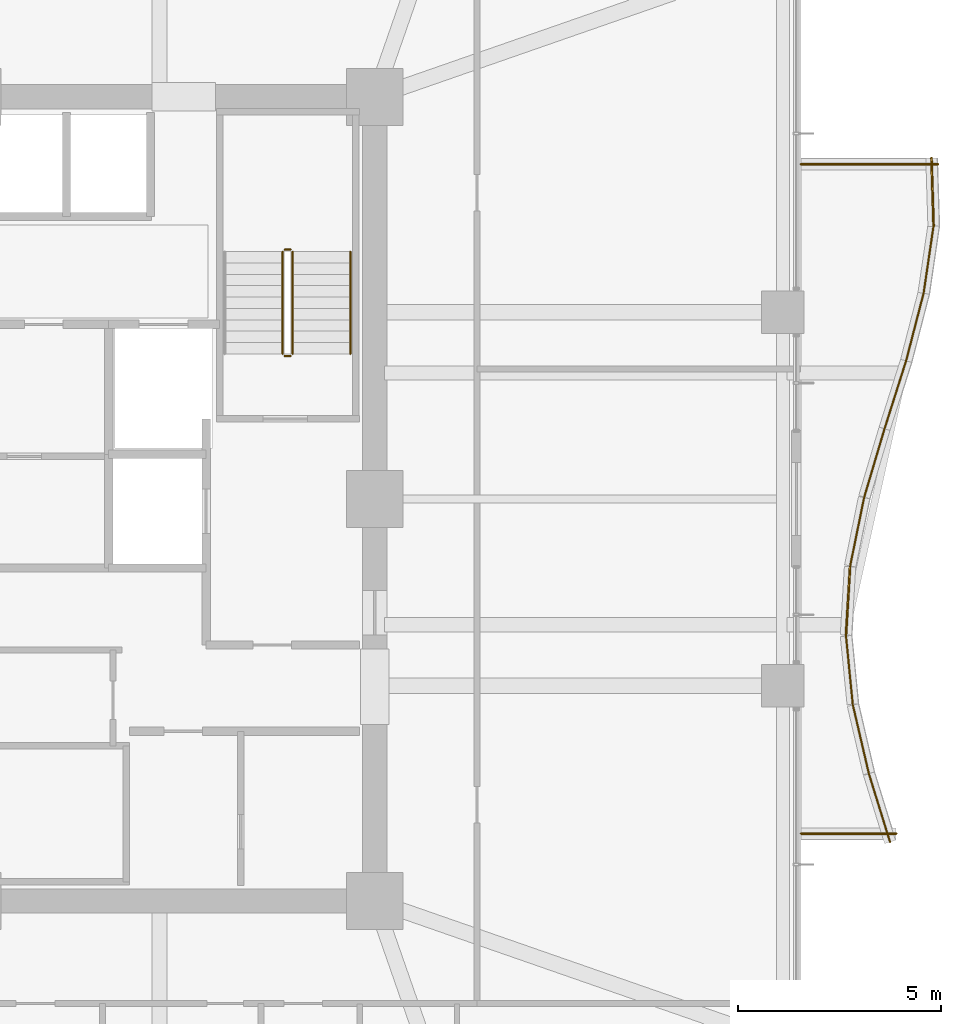
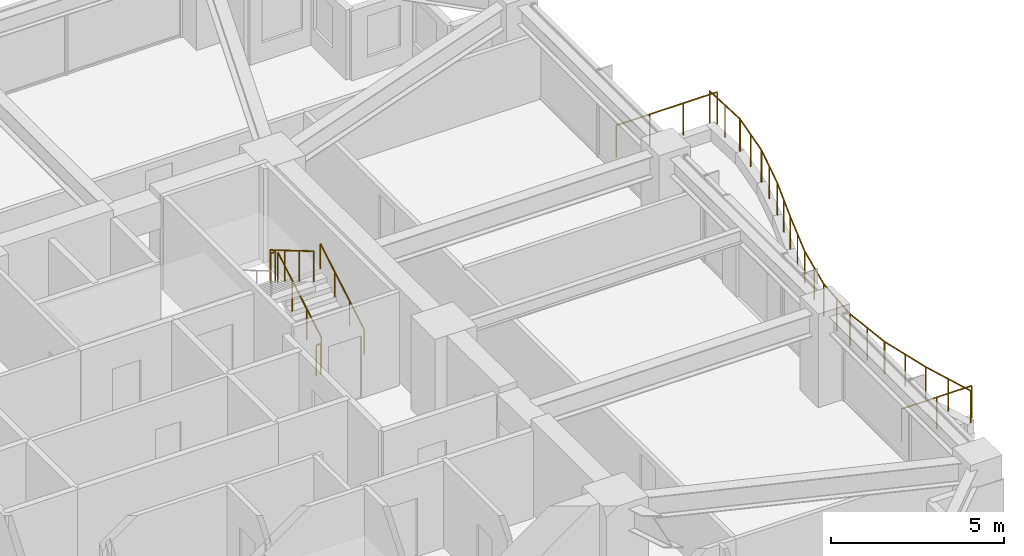
# One storey, part 36 of 36: 17 railings.
"""IFC4 building model written with IfcOpenShell, lengths in metres."""

import ifcopenshell
import ifcopenshell.guid

model = None  # the IFC model being written
_history = None  # IfcOwnerHistory: only IFC2X3 demands one
_inside = {}  # id of a spatial element -> (the spatial element, [elements in it])
_under = {}  # id of a project, library or spatial element -> (it, [spatial elements below it])
_declared = {}  # id of a project -> (the project, [libraries it declares])
_typed = {}  # id of a type object -> (the type object, [elements of that type])
_made_of = {}  # id of a material, layer set ... -> (it, [elements and type objects made of it])


def new_model(schema):
    """Start an empty IFC model of exactly this schema.

    Asked for "IFC4X3", IfcOpenShell would pick the latest addendum, in which some entities
    have other attributes; the version numbers below select the first issue.
    IFC2X3 requires an IfcOwnerHistory on every rooted entity: one is made here for all.
    """
    global model, _history
    if schema == "IFC4X3":
        model = ifcopenshell.file(schema_version=(4, 3, 0, 0))
    else:
        model = ifcopenshell.file(schema=schema)
    _inside.clear()
    _under.clear()
    _declared.clear()
    _typed.clear()
    _made_of.clear()
    _history = None
    if model.schema == "IFC2X3":
        org = make("IfcOrganization", Name="unknown")
        user = make(
            "IfcPersonAndOrganization",
            ThePerson=make("IfcPerson", FamilyName="unknown"),
            TheOrganization=org,
        )
        app = make(
            "IfcApplication",
            ApplicationDeveloper=org,
            Version="unknown",
            ApplicationFullName="unknown",
            ApplicationIdentifier="unknown",
        )
        _history = make(
            "IfcOwnerHistory",
            OwningUser=user,
            OwningApplication=app,
            ChangeAction="ADDED",
            CreationDate=0,
        )
    return model


def make(cls, **values):
    """One entity of the class cls with the attributes given. An attribute that is None is left unset."""
    return model.create_entity(
        cls, **{name: value for name, value in values.items() if value is not None}
    )


def rooted(cls, **values):
    """An entity with a GlobalId (a new one), such as an element, a storey or a relation."""
    return make(cls, GlobalId=ifcopenshell.guid.new(), OwnerHistory=_history, **values)


def si_unit(unit_type, name, prefix=None):
    """IfcSIUnit, for example si_unit("LENGTHUNIT", "METRE", prefix="MILLI")."""
    return make("IfcSIUnit", UnitType=unit_type, Prefix=prefix, Name=name)


def assignment(units):
    """IfcUnitAssignment: the units of a project."""
    return None if units is None else make("IfcUnitAssignment", Units=units)


def point(xyz):
    """IfcCartesianPoint."""
    return None if xyz is None else make("IfcCartesianPoint", Coordinates=xyz)


def direction(xyz):
    """IfcDirection."""
    return None if xyz is None else make("IfcDirection", DirectionRatios=xyz)


def frame(location, z_axis=None, x_axis=None):
    """IfcAxis2Placement3D, a coordinate frame: its origin and axes. An axis left out is left unset."""
    return make(
        "IfcAxis2Placement3D",
        Location=point(location),
        Axis=direction(z_axis),
        RefDirection=direction(x_axis),
    )


def frame_2d(location, x_axis=None):
    """IfcAxis2Placement2D, a coordinate frame in the plane: its origin and x axis."""
    return make(
        "IfcAxis2Placement2D", Location=point(location), RefDirection=direction(x_axis)
    )


def origin():
    """The frame at (0, 0, 0) with its axes left unset."""
    return frame((0.0, 0.0, 0.0))


def origin_2d():
    """The frame at (0, 0) in the plane with its x axis left unset."""
    return frame_2d((0.0, 0.0))


def place(relative_to, where):
    """IfcLocalPlacement: puts the frame where relative to a parent placement (None: the world)."""
    return make(
        "IfcLocalPlacement", PlacementRelTo=relative_to, RelativePlacement=where
    )


def context(
    kind, dimensions, precision=None, world=None, true_north=None, identifier=None
):
    """IfcGeometricRepresentationContext, for example the 3D "Model" context."""
    return make(
        "IfcGeometricRepresentationContext",
        ContextIdentifier=identifier,
        ContextType=kind,
        CoordinateSpaceDimension=dimensions,
        Precision=precision,
        WorldCoordinateSystem=world,
        TrueNorth=true_north,
    )


def subcontext(parent, identifier, kind, view, scale=None):
    """IfcGeometricRepresentationSubContext, for example "Body" below "Model"."""
    return make(
        "IfcGeometricRepresentationSubContext",
        ContextIdentifier=identifier,
        ContextType=kind,
        ParentContext=parent,
        TargetScale=scale,
        TargetView=view,
    )


def project(units=None, contexts=None):
    """IfcProject with its units and contexts."""
    return rooted(
        "IfcProject",
        Name="project",
        RepresentationContexts=contexts,
        UnitsInContext=assignment(units),
    )


def spatial(cls, under=None, at=None, **own):
    """A site, building, storey or space (cls), placed at a placement, below another one or the project."""
    s = rooted(cls, ObjectPlacement=at, **own)
    if under is not None:
        _under.setdefault(under.id(), (under, []))[1].append(s)
    return s


def profile(cls, at=None, kind="AREA", **sizes):
    """A parametric profile (cls). Its sizes go by their IFC names, for example OverallWidth=200.0."""
    return make(cls, ProfileType=kind, Position=at, **sizes)


def circle(**sizes):
    """IfcCircleProfileDef."""
    return profile("IfcCircleProfileDef", **sizes)


def extrude(swept, where, along, depth):
    """IfcExtrudedAreaSolid: the profile swept, set in the frame where, extruded along a direction by depth."""
    return make(
        "IfcExtrudedAreaSolid",
        SweptArea=swept,
        Position=where,
        ExtrudedDirection=direction(along),
        Depth=depth,
    )


def shape(context_of_items, identifier, shape_type, items):
    """IfcShapeRepresentation: the items that make up one representation, for example the "Body"."""
    return make(
        "IfcShapeRepresentation",
        ContextOfItems=context_of_items,
        RepresentationIdentifier=identifier,
        RepresentationType=shape_type,
        Items=items,
    )


def material(Name=None, Category=None):
    """IfcMaterial."""
    return make("IfcMaterial", Name=Name, Category=Category)


def made_of(thing, what):
    """Note that an element or type object is made of a material, layer set ...; save() writes the relation."""
    if what is not None:
        _made_of.setdefault(what.id(), (what, []))[1].append(thing)
    return thing


def type_object(cls, material=None, **own):
    """A type object (cls), such as IfcWallType, which elements share."""
    return made_of(rooted(cls, **own), material)


def element(
    cls,
    number,
    at=None,
    inside=None,
    cuts=None,
    type_object=None,
    material=None,
    context=None,
    identifier="Body",
    shape_type=None,
    held_by="IfcProductDefinitionShape",
    body=None,
    shapes=None,
    **own,
):
    """One element of the class cls, such as IfcWall. Its Tag is "e" and its number.

    at: its placement. inside: the storey or other place that contains it. cuts: it is an
    opening in that element (IfcRelVoidsElement). A single representation is given by context,
    identifier, shape_type and body (its items); several are given by shapes. held_by: the class
    of the entity that holds the representations. save() writes the other relations.
    """
    e = rooted(cls, Tag="e%d" % number, ObjectPlacement=at, **own)
    if body is not None:
        shapes = [shape(context, identifier, shape_type, body)]
    if shapes is not None:
        e.Representation = make(held_by, Representations=shapes)
    if inside is not None:
        _inside.setdefault(inside.id(), (inside, []))[1].append(e)
    if cuts is not None:
        rooted(
            "IfcRelVoidsElement", RelatingBuildingElement=cuts, RelatedOpeningElement=e
        )
    if type_object is not None:
        _typed.setdefault(type_object.id(), (type_object, []))[1].append(e)
    return made_of(e, material)


def aggregate(whole, parts):
    """IfcRelAggregates: a whole, such as a stair, and the parts it consists of."""
    return rooted("IfcRelAggregates", RelatingObject=whole, RelatedObjects=parts)


def save(model, path):
    """Write the relations noted so far, then the file.

    IfcRelAggregates (storeys below a building ...), IfcRelContainedInSpatialStructure (elements
    in a storey), IfcRelDefinesByType, IfcRelAssociatesMaterial and IfcRelDeclares: one each for
    every whole, place, type object, material and project.
    """
    for whole, parts in _under.values():
        aggregate(whole, parts)
    for where, things in _inside.values():
        rooted(
            "IfcRelContainedInSpatialStructure",
            RelatedElements=things,
            RelatingStructure=where,
        )
    for kind, things in _typed.values():
        rooted("IfcRelDefinesByType", RelatedObjects=things, RelatingType=kind)
    for what, things in _made_of.values():
        rooted("IfcRelAssociatesMaterial", RelatedObjects=things, RelatingMaterial=what)
    for by, libraries in _declared.values():
        rooted("IfcRelDeclares", RelatingContext=by, RelatedDefinitions=libraries)
    model.write(path)


model = new_model("IFC4")

# Units and contexts
model_context = context("Model", 3, precision=1e-05, world=origin(), true_north=direction((0.0, 1.0)))
body_context = subcontext(model_context, "Body", "Model", "MODEL_VIEW")
ifc_project = project(units=[si_unit("LENGTHUNIT", "METRE"), si_unit("AREAUNIT", "SQUARE_METRE"), si_unit("VOLUMEUNIT", "CUBIC_METRE"), si_unit("PLANEANGLEUNIT", "RADIAN"), si_unit("MASSUNIT", "GRAM", prefix="KILO")], contexts=[model_context])

# Site, building, storey
site_placement = place(None, origin())
site = spatial("IfcSite", under=ifc_project, at=site_placement, CompositionType="ELEMENT")
building_placement = place(site_placement, origin())
building = spatial("IfcBuilding", under=site, at=building_placement, Name="Kolvaren Belvedere", CompositionType="ELEMENT")
storey_placement = place(building_placement, frame((0.0, 0.0, 88.699951171875)))
storey = spatial("IfcBuildingStorey", under=building, at=storey_placement, Name="L25", CompositionType="ELEMENT", Elevation=88.699951171875)

# Railings
ifc_material_1 = material(Name="Anodised pale-metal aluminium & laminated glass guard", Category="aluminium")
railing_type_1 = type_object("IfcRailingType", Name="RL-GUARD-1150", PredefinedType="GUARDRAIL", material=ifc_material_1)
railing_1_placement = place(storey_placement, frame((22.587158203125, -8.447265625, 0.380126953125)))
element("IfcRailing", 1, at=railing_1_placement, inside=storey, type_object=railing_type_1, Name="L25 Exterior Deck Safety Guard BAL-E-1", PredefinedType="GUARDRAIL", context=body_context, shape_type="SweptSolid", body=[
    extrude(circle(Radius=0.02392578125, at=origin_2d()), frame((0.0, 0.0, 1.1259765625), z_axis=(-0.295831524561, 0.95524013163, 0.0), x_axis=(-0.95524013163, -0.295831524561, 0.0)), (0.0, 0.0, 1.0), 1.758544921875),
    extrude(circle(Radius=0.02099609375, at=origin_2d()), origin(), (0.0, 0.0, 1.0), 1.101806640625),
    extrude(circle(Radius=0.02099609375, at=origin_2d()), frame((-0.26025390625, 0.83984375, 0.0)), (0.0, 0.0, 1.0), 1.101806640625),
    extrude(circle(Radius=0.02099609375, at=origin_2d()), frame((-0.520263671875, 1.679931640625, 0.0)), (0.0, 0.0, 1.0), 1.101806640625),
])
railing_2_placement = place(storey_placement, frame((22.06396484375, -6.75634765625, 0.380126953125)))
element("IfcRailing", 2, at=railing_2_placement, inside=storey, type_object=railing_type_1, Name="L25 Exterior Deck Safety Guard BAL-E-2", PredefinedType="GUARDRAIL", context=body_context, shape_type="SweptSolid", body=[
    extrude(circle(Radius=0.02392578125, at=origin_2d()), frame((0.0, 0.0, 1.1259765625), z_axis=(-0.227019323824, 0.973890253884, 0.0), x_axis=(-0.973890253884, -0.227019323824, 0.0)), (0.0, 0.0, 1.0), 1.724853515625),
    extrude(circle(Radius=0.02099609375, at=origin_2d()), origin(), (0.0, 0.0, 1.0), 1.101806640625),
    extrude(circle(Radius=0.02099609375, at=origin_2d()), frame((-0.19580078125, 0.83984375, 0.0)), (0.0, 0.0, 1.0), 1.101806640625),
    extrude(circle(Radius=0.02099609375, at=origin_2d()), frame((-0.3916015625, 1.679931640625, 0.0)), (0.0, 0.0, 1.0), 1.101806640625),
])
railing_3_placement = place(storey_placement, frame((21.6689453125, -5.0556640625, 0.380126953125)))
element("IfcRailing", 3, at=railing_3_placement, inside=storey, type_object=railing_type_1, Name="L25 Exterior Deck Safety Guard BAL-E-3", PredefinedType="GUARDRAIL", context=body_context, shape_type="SweptSolid", body=[
    extrude(circle(Radius=0.02392578125, at=origin_2d()), frame((0.0, 0.0, 1.1259765625), z_axis=(-0.098343801694, 0.995152499202, 0.0), x_axis=(-0.995152499202, -0.098343801694, 0.0)), (0.0, 0.0, 1.0), 1.688232421875),
    extrude(circle(Radius=0.02099609375, at=origin_2d()), origin(), (0.0, 0.0, 1.0), 1.101806640625),
    extrude(circle(Radius=0.02099609375, at=origin_2d()), frame((-0.0830078125, 0.83984375, 0.0)), (0.0, 0.0, 1.0), 1.101806640625),
    extrude(circle(Radius=0.02099609375, at=origin_2d()), frame((-0.166015625, 1.679931640625, 0.0)), (0.0, 0.0, 1.0), 1.101806640625),
])
railing_4_placement = place(storey_placement, frame((21.50244140625, -3.350341796875, 0.380126953125)))
element("IfcRailing", 4, at=railing_4_placement, inside=storey, type_object=railing_type_1, Name="L25 Exterior Deck Safety Guard BAL-E-4", PredefinedType="GUARDRAIL", context=body_context, shape_type="SweptSolid", body=[
    extrude(circle(Radius=0.02392578125, at=origin_2d()), frame((0.0, 0.0, 1.1259765625), z_axis=(0.059767979379, 0.998212296378, 0.0), x_axis=(-0.998212296378, 0.059767979379, 0.0)), (0.0, 0.0, 1.0), 1.682861328125),
    extrude(circle(Radius=0.02099609375, at=origin_2d()), origin(), (0.0, 0.0, 1.0), 1.101806640625),
    extrude(circle(Radius=0.02099609375, at=origin_2d()), frame((0.05029296875, 0.83984375, 0.0)), (0.0, 0.0, 1.0), 1.101806640625),
    extrude(circle(Radius=0.02099609375, at=origin_2d()), frame((0.1005859375, 1.679931640625, 0.0)), (0.0, 0.0, 1.0), 1.101806640625),
])
railing_5_placement = place(storey_placement, frame((21.60595703125, -1.64794921875, 0.380126953125)))
element("IfcRailing", 5, at=railing_5_placement, inside=storey, type_object=railing_type_1, Name="L25 Exterior Deck Safety Guard BAL-E-5", PredefinedType="GUARDRAIL", context=body_context, shape_type="SweptSolid", body=[
    extrude(circle(Radius=0.02392578125, at=origin_2d()), frame((0.0, 0.0, 1.1259765625), z_axis=(0.199784246163, 0.979839912937, 0.0), x_axis=(-0.979839912937, 0.199784246163, 0.0)), (0.0, 0.0, 1.0), 1.714599609375),
    extrude(circle(Radius=0.02099609375, at=origin_2d()), origin(), (0.0, 0.0, 1.0), 1.101806640625),
    extrude(circle(Radius=0.02099609375, at=origin_2d()), frame((0.17138671875, 0.83984375, 0.0)), (0.0, 0.0, 1.0), 1.101806640625),
    extrude(circle(Radius=0.02099609375, at=origin_2d()), frame((0.342529296875, 1.679931640625, 0.0)), (0.0, 0.0, 1.0), 1.101806640625),
])
railing_6_placement = place(storey_placement, frame((21.951904296875, 0.045654296875, 0.380126953125)))
element("IfcRailing", 6, at=railing_6_placement, inside=storey, type_object=railing_type_1, Name="L25 Exterior Deck Safety Guard BAL-E-6", PredefinedType="GUARDRAIL", context=body_context, shape_type="SweptSolid", body=[
    extrude(circle(Radius=0.02392578125, at=origin_2d()), frame((0.0, 0.0, 1.1259765625), z_axis=(0.284880325779, 0.95856309129, 0.0), x_axis=(-0.95856309129, 0.284880325779, 0.0)), (0.0, 0.0, 1.0), 1.75244140625),
    extrude(circle(Radius=0.02099609375, at=origin_2d()), origin(), (0.0, 0.0, 1.0), 1.101806640625),
    extrude(circle(Radius=0.02099609375, at=origin_2d()), frame((0.24951171875, 0.83984375, 0.0)), (0.0, 0.0, 1.0), 1.101806640625),
    extrude(circle(Radius=0.02099609375, at=origin_2d()), frame((0.499267578125, 1.679931640625, 0.0)), (0.0, 0.0, 1.0), 1.101806640625),
])
railing_7_placement = place(storey_placement, frame((22.4521484375, 1.728515625, 0.380126953125)))
element("IfcRailing", 7, at=railing_7_placement, inside=storey, type_object=railing_type_1, Name="L25 Exterior Deck Safety Guard BAL-E-7", PredefinedType="GUARDRAIL", context=body_context, shape_type="SweptSolid", body=[
    extrude(circle(Radius=0.02392578125, at=origin_2d()), frame((0.0, 0.0, 1.1259765625), z_axis=(0.302397356111, 0.953181954832, 0.0), x_axis=(-0.953181954832, 0.302397356111, 0.0)), (0.0, 0.0, 1.0), 1.762451171875),
    extrude(circle(Radius=0.02099609375, at=origin_2d()), origin(), (0.0, 0.0, 1.0), 1.101806640625),
    extrude(circle(Radius=0.02099609375, at=origin_2d()), frame((0.2666015625, 0.83984375, 0.0)), (0.0, 0.0, 1.0), 1.101806640625),
    extrude(circle(Radius=0.02099609375, at=origin_2d()), frame((0.532958984375, 1.679931640625, 0.0)), (0.0, 0.0, 1.0), 1.101806640625),
])
railing_8_placement = place(storey_placement, frame((22.982666015625, 3.400146484375, 0.380126953125)))
element("IfcRailing", 8, at=railing_8_placement, inside=storey, type_object=railing_type_1, Name="L25 Exterior Deck Safety Guard BAL-E-8", PredefinedType="GUARDRAIL", context=body_context, shape_type="SweptSolid", body=[
    extrude(circle(Radius=0.02392578125, at=origin_2d()), frame((0.0, 0.0, 1.1259765625), z_axis=(0.250439664624, 0.968132209145, 0.0), x_axis=(-0.968132209145, 0.250439664624, 0.0)), (0.0, 0.0, 1.0), 1.7353515625),
    extrude(circle(Radius=0.02099609375, at=origin_2d()), origin(), (0.0, 0.0, 1.0), 1.101806640625),
    extrude(circle(Radius=0.02099609375, at=origin_2d()), frame((0.21728515625, 0.83984375, 0.0)), (0.0, 0.0, 1.0), 1.101806640625),
    extrude(circle(Radius=0.02099609375, at=origin_2d()), frame((0.4345703125, 1.679931640625, 0.0)), (0.0, 0.0, 1.0), 1.101806640625),
])
railing_9_placement = place(storey_placement, frame((23.413818359375, 5.063232421875, 0.380126953125)))
element("IfcRailing", 9, at=railing_9_placement, inside=storey, type_object=railing_type_1, Name="L25 Exterior Deck Safety Guard BAL-E-9", PredefinedType="GUARDRAIL", context=body_context, shape_type="SweptSolid", body=[
    extrude(circle(Radius=0.02392578125, at=origin_2d()), frame((0.0, 0.0, 1.1259765625), z_axis=(0.145907826437, 0.98929818871, 0.0), x_axis=(-0.98929818871, 0.145907826437, 0.0)), (0.0, 0.0, 1.0), 1.6982421875),
    extrude(circle(Radius=0.02099609375, at=origin_2d()), origin(), (0.0, 0.0, 1.0), 1.101806640625),
    extrude(circle(Radius=0.02099609375, at=origin_2d()), frame((0.1240234375, 0.840087890625, 0.0)), (0.0, 0.0, 1.0), 1.101806640625),
    extrude(circle(Radius=0.02099609375, at=origin_2d()), frame((0.247802734375, 1.68017578125, 0.0)), (0.0, 0.0, 1.0), 1.101806640625),
])
railing_10_placement = place(storey_placement, frame((23.66015625, 6.715087890625, 0.380126953125)))
element("IfcRailing", 10, at=railing_10_placement, inside=storey, type_object=railing_type_1, Name="L25 Exterior Deck Safety Guard BAL-E-10", PredefinedType="GUARDRAIL", context=body_context, shape_type="SweptSolid", body=[
    extrude(circle(Radius=0.02392578125, at=origin_2d()), frame((0.0, 0.0, 1.1259765625), z_axis=(-0.031520443874, 0.999503107358, 0.0), x_axis=(-0.999503107358, -0.031520443874, 0.0)), (0.0, 0.0, 1.0), 1.6806640625),
    extrude(circle(Radius=0.02099609375, at=origin_2d()), origin(), (0.0, 0.0, 1.0), 1.101806640625),
    extrude(circle(Radius=0.02099609375, at=origin_2d()), frame((-0.0263671875, 0.83984375, 0.0)), (0.0, 0.0, 1.0), 1.101806640625),
    extrude(circle(Radius=0.02099609375, at=origin_2d()), frame((-0.052978515625, 1.679931640625, 0.0)), (0.0, 0.0, 1.0), 1.101806640625),
])
railing_11_placement = place(storey_placement, frame((23.76708984375, 8.239990234375, 0.380126953125)))
element("IfcRailing", 11, at=railing_11_placement, inside=storey, type_object=railing_type_1, Name="L25 Exterior Deck Safety Guard BAL-E-11", PredefinedType="GUARDRAIL", context=body_context, shape_type="SweptSolid", body=[
    extrude(circle(Radius=0.02392578125, at=origin_2d()), frame((0.0, 0.0, 1.1259765625), z_axis=(-1.0, 0.0, 0.0), x_axis=(0.0, -1.0, 0.0)), (0.0, 0.0, 1.0), 3.3671875),
    extrude(circle(Radius=0.02099609375, at=origin_2d()), origin(), (0.0, 0.0, 1.0), 1.101806640625),
    extrude(circle(Radius=0.02099609375, at=origin_2d()), frame((-1.122314453125, 0.0, 0.0)), (0.0, 0.0, 1.0), 1.101806640625),
    extrude(circle(Radius=0.02099609375, at=origin_2d()), frame((-2.244873046875, 0.0, 0.0)), (0.0, 0.0, 1.0), 1.101806640625),
    extrude(circle(Radius=0.02099609375, at=origin_2d()), frame((-3.3671875, 0.0, 0.0)), (0.0, 0.0, 1.0), 1.101806640625),
])
railing_12_placement = place(storey_placement, frame((20.39990234375, -8.239990234375, 0.380126953125)))
element("IfcRailing", 12, at=railing_12_placement, inside=storey, type_object=railing_type_1, Name="L25 Exterior Deck Safety Guard BAL-E-22", PredefinedType="GUARDRAIL", context=body_context, shape_type="SweptSolid", body=[
    extrude(circle(Radius=0.02392578125, at=origin_2d()), frame((0.0, 0.0, 1.1259765625), z_axis=(1.0, 0.0, 0.0), x_axis=(0.0, 1.0, 0.0)), (0.0, 0.0, 1.0), 2.340087890625),
    extrude(circle(Radius=0.02099609375, at=origin_2d()), origin(), (0.0, 0.0, 1.0), 1.101806640625),
    extrude(circle(Radius=0.02099609375, at=origin_2d()), frame((1.169921875, 0.0, 0.0)), (0.0, 0.0, 1.0), 1.101806640625),
    extrude(circle(Radius=0.02099609375, at=origin_2d()), frame((2.340087890625, 0.0, 0.0)), (0.0, 0.0, 1.0), 1.101806640625),
])
ifc_material_2 = material(Name="Brushed stainless-steel handrail", Category="steel")
railing_type_2 = type_object("IfcRailingType", Name="RL-HANDRAIL-920", PredefinedType="HANDRAIL", material=ifc_material_2)
railing_13_placement = place(storey_placement, frame((9.300048828125, 3.570068359375, 0.1650390625)))
element("IfcRailing", 13, at=railing_13_placement, inside=storey, type_object=railing_type_2, Name="L25 ST-2 stair handrail 1", PredefinedType="HANDRAIL", context=body_context, shape_type="SweptSolid", body=[
    extrude(circle(Radius=0.02392578125, at=origin_2d()), frame((0.0, 0.0, 0.8759765625), z_axis=(0.0, 0.86152411907, 0.507716645641), x_axis=(-1.0, 0.0, 0.0)), (0.0, 0.0, 1.0), 2.925048828125),
    extrude(circle(Radius=0.02099609375, at=origin_2d()), origin(), (0.0, 0.0, 1.0), 0.851806640625),
    extrude(circle(Radius=0.02099609375, at=origin_2d()), frame((0.0, 0.840087890625, 0.4951171875)), (0.0, 0.0, 1.0), 0.851806640625),
    extrude(circle(Radius=0.02099609375, at=origin_2d()), frame((0.0, 1.679931640625, 0.989990234375)), (0.0, 0.0, 1.0), 0.851806640625),
    extrude(circle(Radius=0.02099609375, at=origin_2d()), frame((0.0, 2.52001953125, 1.485107421875)), (0.0, 0.0, 1.0), 0.851806640625),
])
ifc_material_3 = material(Name="Painted tubular steel stair guard", Category="steel")
railing_type_3 = type_object("IfcRailingType", Name="RL-STGUARD-1100", PredefinedType="GUARDRAIL", material=ifc_material_3)
railing_14_placement = place(storey_placement, frame((7.8798828125, 3.570068359375, 0.1650390625)))
element("IfcRailing", 14, at=railing_14_placement, inside=storey, type_object=railing_type_3, Name="L25 ST-2 stair guard 1", PredefinedType="GUARDRAIL", context=body_context, shape_type="SweptSolid", body=[
    extrude(circle(Radius=0.02392578125, at=origin_2d()), frame((0.0, 0.0, 1.076171875), z_axis=(0.0, 0.86152411907, 0.507716645641), x_axis=(-1.0, 0.0, 0.0)), (0.0, 0.0, 1.0), 2.925048828125),
    extrude(circle(Radius=0.02099609375, at=origin_2d()), origin(), (0.0, 0.0, 1.0), 1.052001953125),
    extrude(circle(Radius=0.02099609375, at=origin_2d()), frame((0.0, 0.840087890625, 0.4951171875)), (0.0, 0.0, 1.0), 1.052001953125),
    extrude(circle(Radius=0.02099609375, at=origin_2d()), frame((0.0, 1.679931640625, 0.989990234375)), (0.0, 0.0, 1.0), 1.052001953125),
    extrude(circle(Radius=0.02099609375, at=origin_2d()), frame((0.0, 2.52001953125, 1.485107421875)), (0.0, 0.0, 1.0), 1.052001953125),
])
railing_15_placement = place(storey_placement, frame((7.830078125, 6.139892578125, 1.650146484375)))
element("IfcRailing", 15, at=railing_15_placement, inside=storey, type_object=railing_type_3, Name="L25 ST-2 stair guard 2", PredefinedType="GUARDRAIL", context=body_context, shape_type="SweptSolid", body=[
    extrude(circle(Radius=0.02392578125, at=origin_2d()), frame((0.0, 0.0, 1.076171875), z_axis=(-1.0, 0.0, 0.0), x_axis=(0.0, -1.0, 0.0)), (0.0, 0.0, 1.0), 0.150146484375),
    extrude(circle(Radius=0.02099609375, at=origin_2d()), origin(), (0.0, 0.0, 1.0), 1.052001953125),
    extrude(circle(Radius=0.02099609375, at=origin_2d()), frame((-0.150146484375, 0.0, 0.0)), (0.0, 0.0, 1.0), 1.052001953125),
])
railing_16_placement = place(storey_placement, frame((7.6298828125, 6.090087890625, 1.81494140625)))
element("IfcRailing", 16, at=railing_16_placement, inside=storey, type_object=railing_type_3, Name="L25 ST-2 stair guard 3", PredefinedType="GUARDRAIL", context=body_context, shape_type="SweptSolid", body=[
    extrude(circle(Radius=0.02392578125, at=origin_2d()), frame((0.0, 0.0, 1.076171875), z_axis=(0.0, -0.86152411907, 0.507716645641), x_axis=(1.0, 0.0, 0.0)), (0.0, 0.0, 1.0), 2.925048828125),
    extrude(circle(Radius=0.02099609375, at=origin_2d()), origin(), (0.0, 0.0, 1.0), 1.052001953125),
    extrude(circle(Radius=0.02099609375, at=origin_2d()), frame((0.0, -0.840087890625, 0.4951171875)), (0.0, 0.0, 1.0), 1.052001953125),
    extrude(circle(Radius=0.02099609375, at=origin_2d()), frame((0.0, -1.679931640625, 0.989990234375)), (0.0, 0.0, 1.0), 1.052001953125),
    extrude(circle(Radius=0.02099609375, at=origin_2d()), frame((0.0, -2.52001953125, 1.485107421875)), (0.0, 0.0, 1.0), 1.052001953125),
])
railing_17_placement = place(storey_placement, frame((7.830078125, 3.52001953125, 0.0)))
element("IfcRailing", 17, at=railing_17_placement, inside=storey, type_object=railing_type_3, Name="L25 ST-2 stair guard 4", PredefinedType="GUARDRAIL", context=body_context, shape_type="SweptSolid", body=[
    extrude(circle(Radius=0.02392578125, at=origin_2d()), frame((0.0, 0.0, 1.076171875), z_axis=(-1.0, 0.0, 0.0), x_axis=(0.0, -1.0, 0.0)), (0.0, 0.0, 1.0), 0.150146484375),
    extrude(circle(Radius=0.02099609375, at=origin_2d()), origin(), (0.0, 0.0, 1.0), 1.052001953125),
    extrude(circle(Radius=0.02099609375, at=origin_2d()), frame((-0.150146484375, 0.0, 0.0)), (0.0, 0.0, 1.0), 1.052001953125),
])

save(model, "model.ifc")
